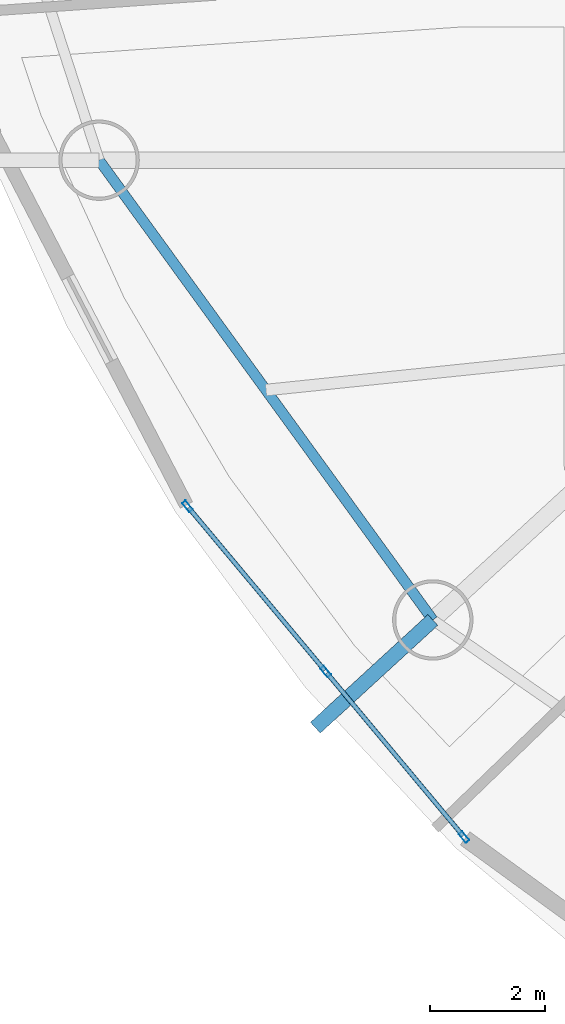
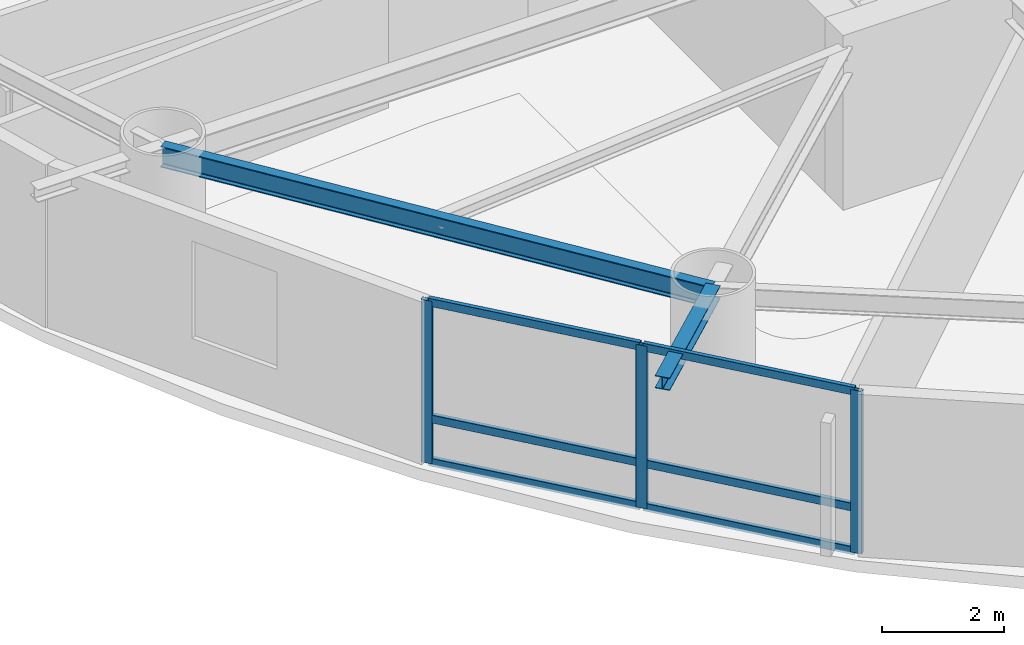
# One storey, part 2 of 20: 9 members, 2 beams, 1 element without a shape of its own.
"""IFC4 building model written with IfcOpenShell, lengths in metres."""

from ifc_helpers import new_model, si_unit, direction, frame, origin, origin_2d, place, context, subcontext, project, spatial, hollow_rectangle, i_section, extrude, material, layer, layer_set, material_profile, profile_set, type_object, element, aggregate, save


model = new_model("IFC4")

# Units and contexts
model_context = context("Model", 3, precision=1e-05, world=origin(), true_north=direction((0.0, 1.0)))
body_context = subcontext(model_context, "Body", "Model", "MODEL_VIEW")
ifc_project = project(units=[si_unit("LENGTHUNIT", "METRE"), si_unit("AREAUNIT", "SQUARE_METRE"), si_unit("VOLUMEUNIT", "CUBIC_METRE"), si_unit("PLANEANGLEUNIT", "RADIAN"), si_unit("MASSUNIT", "GRAM", prefix="KILO")], contexts=[model_context])

# Site, building, storey
site_placement = place(None, origin())
site = spatial("IfcSite", under=ifc_project, at=site_placement, CompositionType="ELEMENT")
building_placement = place(site_placement, origin())
building = spatial("IfcBuilding", under=site, at=building_placement, Name="Bramvorn Convention Spire", CompositionType="ELEMENT")
storey_placement = place(building_placement, frame((0.0, 0.0, 144.800048828125)))
storey = spatial("IfcBuildingStorey", under=building, at=storey_placement, Name="L36", CompositionType="ELEMENT", Elevation=144.800048828125)

# Beams
ifc_material_1 = material(Name="Steel CSA G40.21 Grade 350 (350W)", Category="steel")
ifc_material_profile_1 = material_profile(ifc_material_1, i_section(OverallWidth=0.25390625, OverallDepth=0.2529296875, WebThickness=0.008544921875, FlangeThickness=0.01416015625, FilletRadius=0.011962890625, at=origin_2d()))
ifc_profile_set_1 = profile_set([ifc_material_profile_1], Name="Steel CSA G40.21 Grade 350 (350W) - W250X73")
beam_type_1 = type_object("IfcBeamType", Name="BM-W250X73", PredefinedType="BEAM", material=ifc_profile_set_1)
beam_1_placement = place(storey_placement, frame((21.465087890625, 13.700927734375, 3.133544921875), z_axis=(-0.736807114998, -0.676103006419, 0.0), x_axis=(0.676103006419, -0.736807114998, 0.0)))
element("IfcBeam", 1, at=beam_1_placement, inside=storey, type_object=beam_type_1, Name="L36 slab-edge cantilever tip beam MC12", PredefinedType="BEAM", context=body_context, shape_type="SweptSolid", body=[
    extrude(i_section(OverallWidth=0.25390625, OverallDepth=0.2529296875, WebThickness=0.008544921875, FlangeThickness=0.01416015625, FilletRadius=0.011962890625, at=origin_2d()), origin(), (0.0, 0.0, 1.0), 2.775146484375),
])
ifc_material_profile_2 = material_profile(ifc_material_1, i_section(OverallWidth=0.180908203125, OverallDepth=0.4169921875, WebThickness=0.010986328125, FlangeThickness=0.018310546875, FilletRadius=0.01611328125, at=origin_2d()))
ifc_profile_set_2 = profile_set([ifc_material_profile_2], Name="Steel CSA G40.21 Grade 350 (350W) - W410X85")
beam_type_2 = type_object("IfcBeamType", Name="BM-W410X85", PredefinedType="JOIST", material=ifc_profile_set_2)
beam_2_placement = place(storey_placement, frame((15.654296875, 21.706787109375, 3.051513671875), z_axis=(0.587401024629, -0.809296012757, 0.0), x_axis=(0.809296012757, 0.587401024629, 0.0)))
element("IfcBeam", 2, at=beam_2_placement, inside=storey, type_object=beam_type_2, Name="L36 mega-column ring beam 11", PredefinedType="JOIST", context=body_context, shape_type="SweptSolid", body=[
    extrude(i_section(OverallWidth=0.180908203125, OverallDepth=0.4169921875, WebThickness=0.010986328125, FlangeThickness=0.018310546875, FilletRadius=0.01611328125, at=origin_2d()), origin(), (0.0, 0.0, 1.0), 9.892333984375),
])

# Curtain wall, members
ifc_material_2 = material(Name="Anodised Bronze Unitised Curtain Wall", Category="aluminium")
ifc_layer = layer(ifc_material_2, 0.179931640625)
ifc_layer_set = layer_set([ifc_layer], Name="Anodised Bronze Unitised Curtain Wall - CW-HTL-FRIT")
curtain_wall_type = type_object("IfcCurtainWallType", Name="CW-HTL-FRIT", PredefinedType="USERDEFINED", material=ifc_layer_set)
curtain_wall_placement = place(storey_placement, origin())
curtain_wall = element("IfcCurtainWall", 3, at=curtain_wall_placement, inside=storey, type_object=curtain_wall_type, Name="L36 fritted glass curtain wall 17", ObjectType="UNITISED CURTAIN WALL", PredefinedType="USERDEFINED")
ifc_material_3 = material(Name="Anodised Bronze Aluminium 6063-T6", Category="aluminium")
ifc_material_profile_3 = material_profile(ifc_material_3, hollow_rectangle(XDim=0.080078125, YDim=0.199951171875, WallThickness=0.00390625, InnerFilletRadius=0.0009765625, OuterFilletRadius=0.00390625, at=origin_2d()))
ifc_profile_set_3 = profile_set([ifc_material_profile_3], Name="Anodised Bronze Aluminium 6063-T6 - CWM80X200")
member_type_1 = type_object("IfcMemberType", Name="CW-MUL-180", PredefinedType="MULLION", material=ifc_profile_set_3)
member_1_placement = place(storey_placement, frame((22.00927734375, 9.920166015625, 0.0), z_axis=(0.0, 0.0, 1.0), x_axis=(-0.767161148378, -0.641454419596, 0.0)))
member_1 = element("IfcMember", 4, at=member_1_placement, type_object=member_type_1, Name="CW2 mullion 1", PredefinedType="MULLION", context=body_context, shape_type="SweptSolid", body=[
    extrude(hollow_rectangle(XDim=0.080078125, YDim=0.199951171875, WallThickness=0.00390625, InnerFilletRadius=0.0009765625, OuterFilletRadius=0.00390625, at=origin_2d()), origin(), (0.0, 0.0, 1.0), 3.260009765625),
])
member_2_placement = place(storey_placement, frame((19.600830078125, 12.800537109375, 0.0), z_axis=(0.0, 0.0, 1.0), x_axis=(-0.767161148378, -0.641454419596, 0.0)))
member_2 = element("IfcMember", 5, at=member_2_placement, type_object=member_type_1, Name="CW2 mullion 2", PredefinedType="MULLION", context=body_context, shape_type="SweptSolid", body=[
    extrude(hollow_rectangle(XDim=0.080078125, YDim=0.199951171875, WallThickness=0.00390625, InnerFilletRadius=0.0009765625, OuterFilletRadius=0.00390625, at=origin_2d()), origin(), (0.0, 0.0, 1.0), 3.260009765625),
])
member_3_placement = place(storey_placement, frame((17.192626953125, 15.680908203125, 0.0), z_axis=(0.0, 0.0, 1.0), x_axis=(-0.767161148378, -0.641454419596, 0.0)))
member_3 = element("IfcMember", 6, at=member_3_placement, type_object=member_type_1, Name="CW2 mullion 3", PredefinedType="MULLION", context=body_context, shape_type="SweptSolid", body=[
    extrude(hollow_rectangle(XDim=0.080078125, YDim=0.199951171875, WallThickness=0.00390625, InnerFilletRadius=0.0009765625, OuterFilletRadius=0.00390625, at=origin_2d()), origin(), (0.0, 0.0, 1.0), 3.260009765625),
])
ifc_material_profile_4 = material_profile(ifc_material_3, hollow_rectangle(XDim=0.080078125, YDim=0.159912109375, WallThickness=0.00390625, InnerFilletRadius=0.0009765625, OuterFilletRadius=0.00390625, at=origin_2d()))
ifc_profile_set_4 = profile_set([ifc_material_profile_4], Name="Anodised Bronze Aluminium 6063-T6 - CWT80X160")
member_type_2 = type_object("IfcMemberType", Name="CW-TRN-150", PredefinedType="USERDEFINED", material=ifc_profile_set_4)
member_4_placement = place(storey_placement, frame((21.990234375, 9.943115234375, 0.030029296875), z_axis=(-0.641470367799, 0.767147813159, 0.0), x_axis=(-0.767147813159, -0.641470367799, 0.0)))
member_4 = element("IfcMember", 7, at=member_4_placement, type_object=member_type_2, Name="CW2 transom 1.1", ObjectType="TRANSOM", PredefinedType="USERDEFINED", context=body_context, shape_type="SweptSolid", body=[
    extrude(hollow_rectangle(XDim=0.080078125, YDim=0.159912109375, WallThickness=0.00390625, InnerFilletRadius=0.0009765625, OuterFilletRadius=0.00390625, at=origin_2d()), origin(), (0.0, 0.0, 1.0), 3.69482421875),
])
member_5_placement = place(storey_placement, frame((21.990234375, 9.943115234375, 0.89990234375), z_axis=(-0.641470367799, 0.767147813159, 0.0), x_axis=(-0.767147813159, -0.641470367799, 0.0)))
member_5 = element("IfcMember", 8, at=member_5_placement, type_object=member_type_2, Name="CW2 transom 1.2", ObjectType="TRANSOM", PredefinedType="USERDEFINED", context=body_context, shape_type="SweptSolid", body=[
    extrude(hollow_rectangle(XDim=0.080078125, YDim=0.159912109375, WallThickness=0.00390625, InnerFilletRadius=0.0009765625, OuterFilletRadius=0.00390625, at=origin_2d()), origin(), (0.0, 0.0, 1.0), 3.69482421875),
])
member_6_placement = place(storey_placement, frame((21.990234375, 9.943115234375, 3.22998046875), z_axis=(-0.641470367799, 0.767147813159, 0.0), x_axis=(-0.767147813159, -0.641470367799, 0.0)))
member_6 = element("IfcMember", 9, at=member_6_placement, type_object=member_type_2, Name="CW2 transom 1.3", ObjectType="TRANSOM", PredefinedType="USERDEFINED", context=body_context, shape_type="SweptSolid", body=[
    extrude(hollow_rectangle(XDim=0.080078125, YDim=0.159912109375, WallThickness=0.00390625, InnerFilletRadius=0.0009765625, OuterFilletRadius=0.00390625, at=origin_2d()), origin(), (0.0, 0.0, 1.0), 3.69482421875),
])
member_7_placement = place(storey_placement, frame((19.581787109375, 12.823486328125, 0.030029296875), z_axis=(-0.641470367799, 0.767147813159, 0.0), x_axis=(-0.767147813159, -0.641470367799, 0.0)))
member_7 = element("IfcMember", 10, at=member_7_placement, type_object=member_type_2, Name="CW2 transom 2.1", ObjectType="TRANSOM", PredefinedType="USERDEFINED", context=body_context, shape_type="SweptSolid", body=[
    extrude(hollow_rectangle(XDim=0.080078125, YDim=0.159912109375, WallThickness=0.00390625, InnerFilletRadius=0.0009765625, OuterFilletRadius=0.00390625, at=origin_2d()), origin(), (0.0, 0.0, 1.0), 3.69482421875),
])
member_8_placement = place(storey_placement, frame((19.581787109375, 12.823486328125, 0.89990234375), z_axis=(-0.641470367799, 0.767147813159, 0.0), x_axis=(-0.767147813159, -0.641470367799, 0.0)))
member_8 = element("IfcMember", 11, at=member_8_placement, type_object=member_type_2, Name="CW2 transom 2.2", ObjectType="TRANSOM", PredefinedType="USERDEFINED", context=body_context, shape_type="SweptSolid", body=[
    extrude(hollow_rectangle(XDim=0.080078125, YDim=0.159912109375, WallThickness=0.00390625, InnerFilletRadius=0.0009765625, OuterFilletRadius=0.00390625, at=origin_2d()), origin(), (0.0, 0.0, 1.0), 3.69482421875),
])
member_9_placement = place(storey_placement, frame((19.581787109375, 12.823486328125, 3.22998046875), z_axis=(-0.641470367799, 0.767147813159, 0.0), x_axis=(-0.767147813159, -0.641470367799, 0.0)))
member_9 = element("IfcMember", 12, at=member_9_placement, type_object=member_type_2, Name="CW2 transom 2.3", ObjectType="TRANSOM", PredefinedType="USERDEFINED", context=body_context, shape_type="SweptSolid", body=[
    extrude(hollow_rectangle(XDim=0.080078125, YDim=0.159912109375, WallThickness=0.00390625, InnerFilletRadius=0.0009765625, OuterFilletRadius=0.00390625, at=origin_2d()), origin(), (0.0, 0.0, 1.0), 3.69482421875),
])
aggregate(curtain_wall, [member_1, member_2, member_3, member_4, member_5, member_6, member_7, member_8, member_9])

save(model, "model.ifc")
